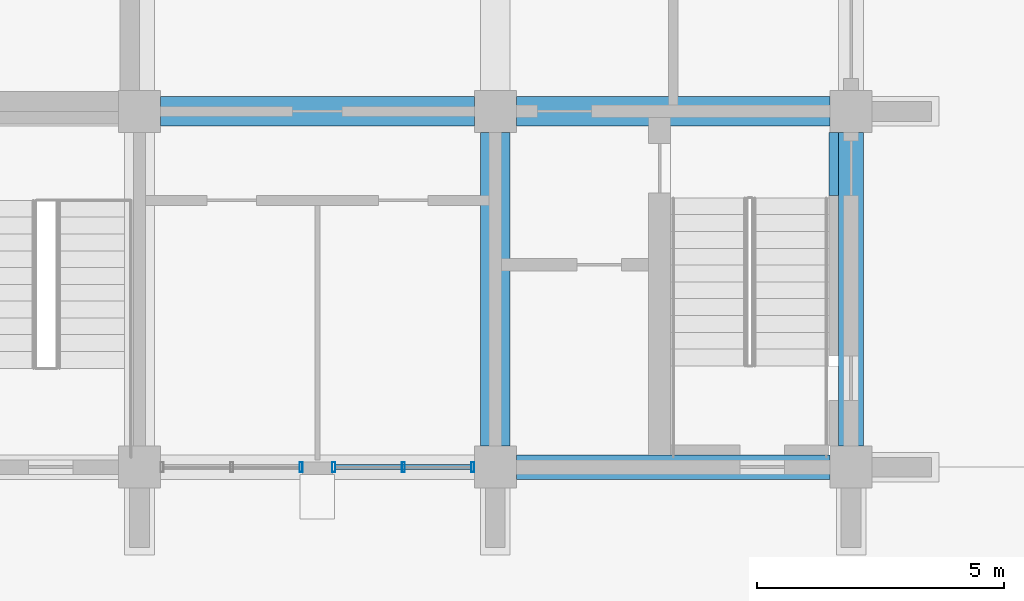
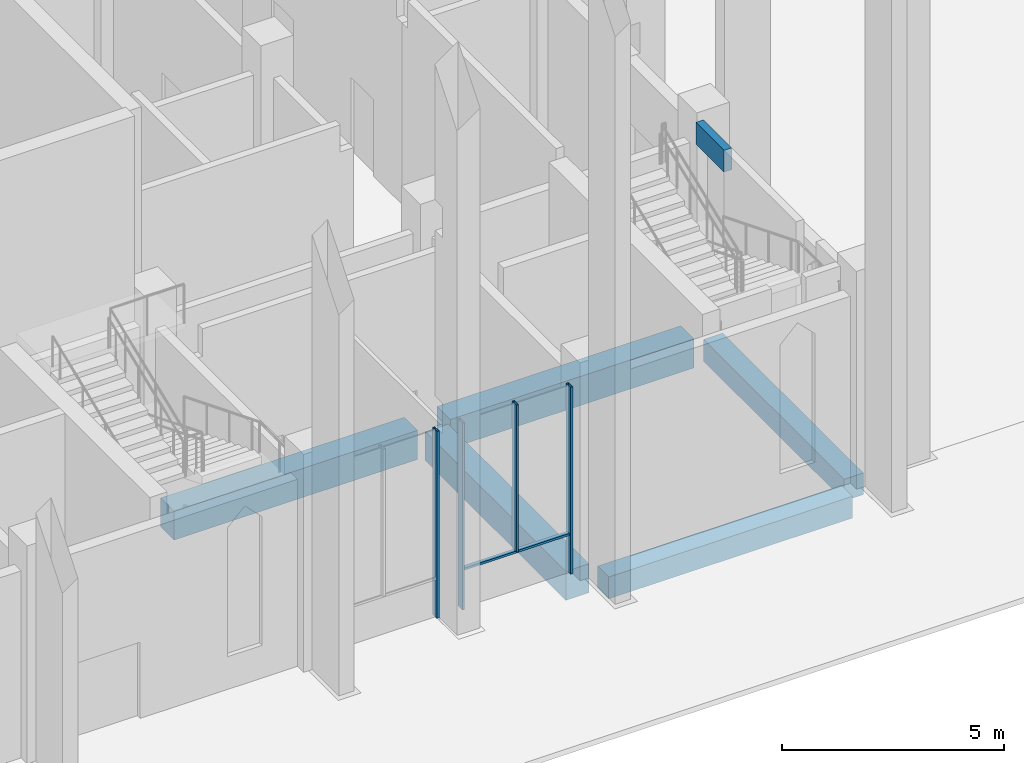
# One storey, part 16 of 50: 6 beams, 5 members, 2 elements without a shape of their own.
"""IFC4 building model written with IfcOpenShell, lengths in metres."""

from ifc_helpers import new_model, si_unit, direction, frame, origin, origin_2d, place, context, subcontext, project, spatial, rectangle, hollow_rectangle, extrude, material, material_profile, profile_set, type_object, element, aggregate, save


model = new_model("IFC4")

# Units and contexts
model_context = context("Model", 3, precision=1e-05, world=origin(), true_north=direction((0.0, 1.0)))
body_context = subcontext(model_context, "Body", "Model", "MODEL_VIEW")
ifc_project = project(units=[si_unit("LENGTHUNIT", "METRE"), si_unit("AREAUNIT", "SQUARE_METRE"), si_unit("VOLUMEUNIT", "CUBIC_METRE"), si_unit("PLANEANGLEUNIT", "RADIAN"), si_unit("MASSUNIT", "GRAM", prefix="KILO")], contexts=[model_context])

# Site, building, storey
site_placement = place(None, origin())
site = spatial("IfcSite", under=ifc_project, at=site_placement, CompositionType="ELEMENT")
building_placement = place(site_placement, origin())
building = spatial("IfcBuilding", under=site, at=building_placement, Name="Silangan Lancet Faculty of Sciences", CompositionType="ELEMENT")
storey_placement = place(building_placement, origin())
storey = spatial("IfcBuildingStorey", under=building, at=storey_placement, Name="L00", CompositionType="ELEMENT", Elevation=0.0)

# Beams
ifc_material_1 = material(Name="Concrete C40/50", Category="concrete")
ifc_material_profile_1 = material_profile(ifc_material_1, rectangle(XDim=0.199951171875, YDim=0.60009765625, at=origin_2d()), Name="RC 200x600")
ifc_profile_set_1 = profile_set([ifc_material_profile_1], Name="Concrete C40/50")
beam_type_1 = type_object("IfcBeamType", Name="BEAM RC 200x600", PredefinedType="BEAM", material=ifc_profile_set_1)
beam_1_placement = place(storey_placement, frame((86.050048828125, 5.5, 5.449951171875), z_axis=(0.0, 1.0, 0.0), x_axis=(-1.0, 0.0, 0.0)))
element("IfcBeam", 1, at=beam_1_placement, inside=storey, type_object=beam_type_1, Name="HDR-L00-EB-A-1", PredefinedType="BEAM", context=body_context, shape_type="SweptSolid", body=[
    extrude(rectangle(XDim=0.199951171875, YDim=0.60009765625, at=origin_2d()), origin(), (0.0, 0.0, 1.0), 1.27490234375),
])
ifc_material_2 = material(Name="Concrete C40/50", Category="concrete")
ifc_material_profile_2 = material_profile(ifc_material_2, rectangle(XDim=0.5, YDim=0.60009765625, at=origin_2d()), Name="RC 500x600")
ifc_profile_set_2 = profile_set([ifc_material_profile_2], Name="Concrete C40/50")
beam_type_2 = type_object("IfcBeamType", Name="BEAM RC 500x600", PredefinedType="BEAM", material=ifc_profile_set_2)
beam_2_placement = place(storey_placement, frame((79.625, 0.0, -0.60009765625), z_axis=(1.0, 0.0, 0.0), x_axis=(0.0, 1.0, 0.0)))
element("IfcBeam", 2, at=beam_2_placement, inside=storey, type_object=beam_type_2, Name="BM-L00-12A-13A", PredefinedType="BEAM", context=body_context, shape_type="SweptSolid", body=[
    extrude(rectangle(XDim=0.5, YDim=0.60009765625, at=origin_2d()), origin(), (0.0, 0.0, 1.0), 6.35009765625),
])
beam_3_placement = place(storey_placement, frame((86.39990234375, 0.425048828125, -0.60009765625), z_axis=(0.0, 1.0, 0.0), x_axis=(-1.0, 0.0, 0.0)))
element("IfcBeam", 3, at=beam_3_placement, inside=storey, type_object=beam_type_2, Name="BM-L00-13A-13B", PredefinedType="BEAM", context=body_context, shape_type="SweptSolid", body=[
    extrude(rectangle(XDim=0.5, YDim=0.60009765625, at=origin_2d()), origin(), (0.0, 0.0, 1.0), 6.349853515625),
])
ifc_material_3 = material(Name="Concrete C40/50", Category="concrete")
ifc_material_profile_3 = material_profile(ifc_material_3, rectangle(XDim=0.60009765625, YDim=0.800048828125, at=origin_2d()), Name="RC 600x800")
ifc_profile_set_3 = profile_set([ifc_material_profile_3], Name="Concrete C40/50")
beam_type_3 = type_object("IfcBeamType", Name="BEAM RC 600x800", PredefinedType="BEAM", material=ifc_profile_set_3)
beam_4_placement = place(storey_placement, frame((72.425048828125, 7.199951171875, -0.699951171875), z_axis=(1.0, 0.0, 0.0), x_axis=(0.0, 1.0, 0.0)))
element("IfcBeam", 4, at=beam_4_placement, inside=storey, type_object=beam_type_3, Name="BM-L00-11B-12B", PredefinedType="BEAM", context=body_context, shape_type="SweptSolid", body=[
    extrude(rectangle(XDim=0.60009765625, YDim=0.800048828125, at=origin_2d()), origin(), (0.0, 0.0, 1.0), 6.349853515625),
])
beam_5_placement = place(storey_placement, frame((79.625, 7.199951171875, -0.699951171875), z_axis=(1.0, 0.0, 0.0), x_axis=(0.0, 1.0, 0.0)))
element("IfcBeam", 5, at=beam_5_placement, inside=storey, type_object=beam_type_3, Name="BM-L00-12B-13B", PredefinedType="BEAM", context=body_context, shape_type="SweptSolid", body=[
    extrude(rectangle(XDim=0.60009765625, YDim=0.800048828125, at=origin_2d()), origin(), (0.0, 0.0, 1.0), 6.35009765625),
])
beam_6_placement = place(storey_placement, frame((79.199951171875, 0.425048828125, -0.699951171875), z_axis=(0.0, 1.0, 0.0), x_axis=(-1.0, 0.0, 0.0)))
element("IfcBeam", 6, at=beam_6_placement, inside=storey, type_object=beam_type_3, Name="BM-L00-12A-12B", PredefinedType="BEAM", context=body_context, shape_type="SweptSolid", body=[
    extrude(rectangle(XDim=0.60009765625, YDim=0.800048828125, at=origin_2d()), origin(), (0.0, 0.0, 1.0), 6.349853515625),
])

# Curtain wall, member
ifc_material_4 = material(Name="Aluminium framed curtain wall with insulated glass", Category="aluminium")
curtain_wall_type = type_object("IfcCurtainWallType", Name="CW1 Commons and east block glazing", PredefinedType="NOTDEFINED", material=ifc_material_4)
curtain_wall_1_placement = place(storey_placement, origin())
curtain_wall_1 = element("IfcCurtainWall", 7, at=curtain_wall_1_placement, inside=storey, type_object=curtain_wall_type, Name="CW1 East block south L00 bay 1", PredefinedType="NOTDEFINED")
ifc_material_5 = material(Name="Aluminium 6063-T6 extrusion", Category="aluminium")
ifc_material_profile_4 = material_profile(ifc_material_5, hollow_rectangle(XDim=0.06005859375, YDim=0.199951171875, WallThickness=0.00390625, at=origin_2d()), Name="AL BOX 60x200x4")
ifc_profile_set_4 = profile_set([ifc_material_profile_4], Name="Aluminium 6063-T6 extrusion")
member_type_1 = type_object("IfcMemberType", Name="CM1 Mullion 60x200", PredefinedType="MULLION", material=ifc_profile_set_4)
member_1_placement = place(storey_placement, frame((75.27001953125, 0.0, 0.0), z_axis=(0.0, 0.0, 1.0), x_axis=(1.0, 0.0, 0.0)))
member_1 = element("IfcMember", 8, at=member_1_placement, type_object=member_type_1, Name="CW1 East block south L00 bay 1 mullion 2", PredefinedType="MULLION", context=body_context, shape_type="SweptSolid", body=[
    extrude(hollow_rectangle(XDim=0.06005859375, YDim=0.199951171875, WallThickness=0.00390625, at=origin_2d()), origin(), (0.0, 0.0, 1.0), 5.14990234375),
])
aggregate(curtain_wall_1, [member_1])

# Curtain wall, members
curtain_wall_2_placement = place(storey_placement, origin())
curtain_wall_2 = element("IfcCurtainWall", 9, at=curtain_wall_2_placement, inside=storey, type_object=curtain_wall_type, Name="CW1 East block south L00 bay 2", PredefinedType="NOTDEFINED")
member_2_placement = place(storey_placement, frame((75.93017578125, 0.0, 0.0), z_axis=(0.0, 0.0, 1.0), x_axis=(1.0, 0.0, 0.0)))
member_2 = element("IfcMember", 10, at=member_2_placement, type_object=member_type_1, Name="CW1 East block south L00 bay 2 mullion 1", PredefinedType="MULLION", context=body_context, shape_type="SweptSolid", body=[
    extrude(hollow_rectangle(XDim=0.06005859375, YDim=0.199951171875, WallThickness=0.00390625, at=origin_2d()), origin(), (0.0, 0.0, 1.0), 5.14990234375),
])
member_3_placement = place(storey_placement, frame((78.7451171875, 0.0, 0.0), z_axis=(0.0, 0.0, 1.0), x_axis=(1.0, 0.0, 0.0)))
member_3 = element("IfcMember", 11, at=member_3_placement, type_object=member_type_1, Name="CW1 East block south L00 bay 2 mullion 2", PredefinedType="MULLION", context=body_context, shape_type="SweptSolid", body=[
    extrude(hollow_rectangle(XDim=0.06005859375, YDim=0.199951171875, WallThickness=0.00390625, at=origin_2d()), origin(), (0.0, 0.0, 1.0), 5.14990234375),
])
member_4_placement = place(storey_placement, frame((77.337646484375, 0.0, 1.10009765625), z_axis=(0.0, 0.0, 1.0), x_axis=(1.0, 0.0, 0.0)))
member_4 = element("IfcMember", 12, at=member_4_placement, type_object=member_type_1, Name="CW1 East block south L00 bay 2 mullion 3", PredefinedType="MULLION", context=body_context, shape_type="SweptSolid", body=[
    extrude(hollow_rectangle(XDim=0.06005859375, YDim=0.199951171875, WallThickness=0.00390625, at=origin_2d()), origin(), (0.0, 0.0, 1.0), 4.0498046875),
])
ifc_material_6 = material(Name="Aluminium 6063-T6 extrusion", Category="aluminium")
ifc_material_profile_5 = material_profile(ifc_material_6, hollow_rectangle(XDim=0.10009765625, YDim=0.06005859375, WallThickness=0.0029296875, at=origin_2d()), Name="AL BOX 100x60x3")
ifc_profile_set_5 = profile_set([ifc_material_profile_5], Name="Aluminium 6063-T6 extrusion")
member_type_2 = type_object("IfcMemberType", Name="CT1 Transom 100x60", PredefinedType="USERDEFINED", material=ifc_profile_set_5)
member_5_placement = place(storey_placement, frame((75.960205078125, 0.0, 1.070068359375), z_axis=(1.0, 0.0, 0.0), x_axis=(0.0, 1.0, 0.0)))
member_5 = element("IfcMember", 13, at=member_5_placement, type_object=member_type_2, Name="CW1 East block south L00 bay 2 transom 1", ObjectType="TRANSOM", PredefinedType="USERDEFINED", context=body_context, shape_type="SweptSolid", body=[
    extrude(hollow_rectangle(XDim=0.10009765625, YDim=0.06005859375, WallThickness=0.0029296875, at=origin_2d()), origin(), (0.0, 0.0, 1.0), 2.7548828125),
])
aggregate(curtain_wall_2, [member_2, member_3, member_4, member_5])

save(model, "model.ifc")
